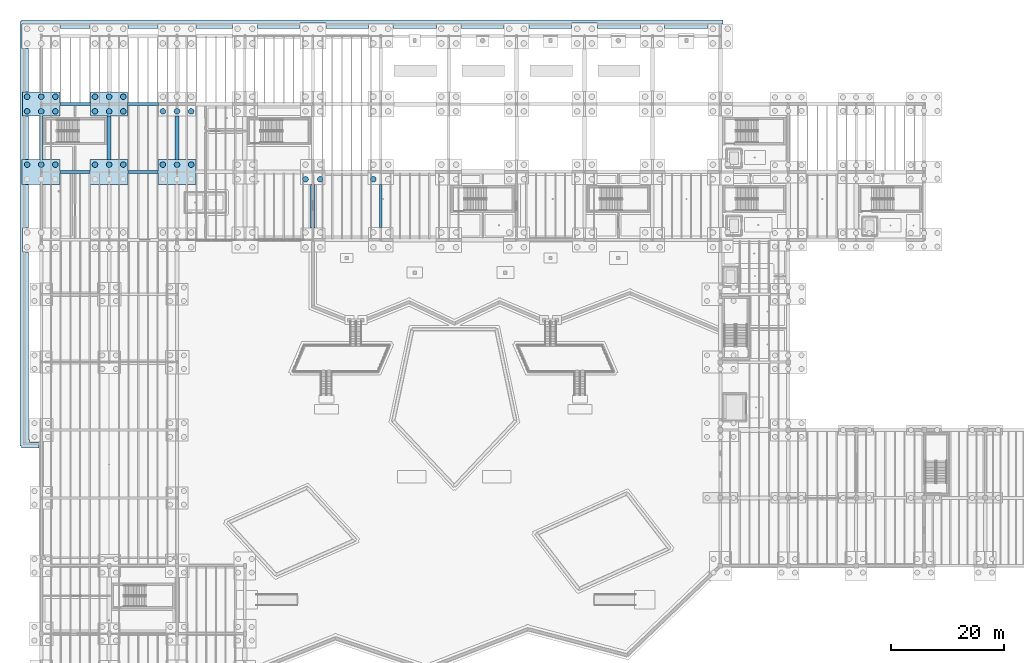
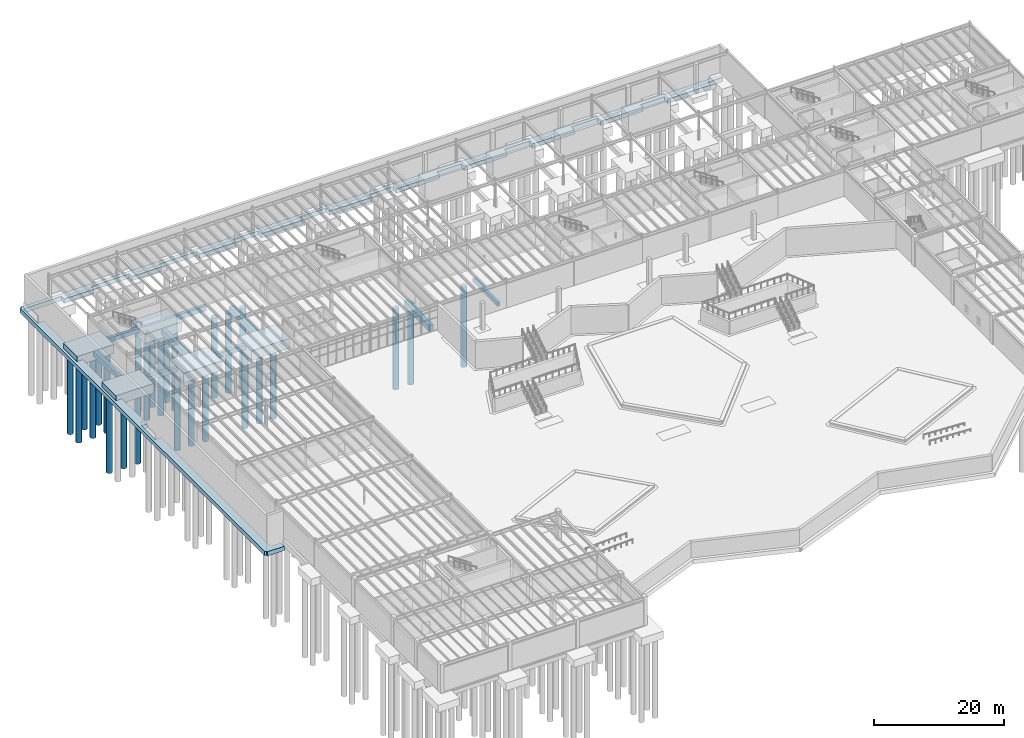
# One storey, part 4 of 67: 27 piles, 15 footings.
"""IFC4 building model written with IfcOpenShell, lengths in metres."""

from ifc_helpers import new_model, si_unit, direction, frame, origin, origin_2d, place, context, subcontext, project, spatial, polyline, rectangle, circle, outline, extrude, material, material_profile, profile_set, type_object, element, save


model = new_model("IFC4")

# Units and contexts
model_context = context("Model", 3, precision=1e-05, world=origin(), true_north=direction((0.0, 1.0)))
body_context = subcontext(model_context, "Body", "Model", "MODEL_VIEW")
ifc_project = project(units=[si_unit("LENGTHUNIT", "METRE"), si_unit("AREAUNIT", "SQUARE_METRE"), si_unit("VOLUMEUNIT", "CUBIC_METRE"), si_unit("PLANEANGLEUNIT", "RADIAN"), si_unit("MASSUNIT", "GRAM", prefix="KILO")], contexts=[model_context])

# Site, building, storey
site_placement = place(None, origin())
site = spatial("IfcSite", under=ifc_project, at=site_placement, CompositionType="ELEMENT")
building_placement = place(site_placement, origin())
building = spatial("IfcBuilding", under=site, at=building_placement, Name="Zlatogorsky Bluff Art Gallery", CompositionType="ELEMENT")
storey_placement = place(building_placement, frame((0.0, 0.0, -5.39990234375)))
storey = spatial("IfcBuildingStorey", under=building, at=storey_placement, Name="B1", CompositionType="ELEMENT", Elevation=-5.39990234375)

# Piles
ifc_material = material(Name="Concrete C35/45", Category="concrete")
ifc_material_profile = material_profile(ifc_material, circle(Radius=0.5, at=origin_2d()), Name="BORED PILE D1000")
ifc_profile_set = profile_set([ifc_material_profile], Name="Concrete C35/45")
pile_type = type_object("IfcPileType", Name="Bored Pile D1000 C35/45", PredefinedType="BORED", material=ifc_profile_set)
for number, where, z_axis, x_axis, name in (
    (1, (-2.5, 97.300048828125, -2.10009765625), (0.0, 0.0, -1.0), (1.0, 0.0, 0.0), "Bored pile PL-02 00.09.4"),
    (2, (0.0, 97.300048828125, -2.10009765625), (0.0, 0.0, -1.0), (1.0, 0.0, 0.0), "Bored pile PL-02 00.09.5"),
    (3, (2.5, 97.300048828125, -2.10009765625), (0.0, 0.0, -1.0), (1.0, 0.0, 0.0), "Bored pile PL-02 00.09.6"),
):
    element("IfcPile", number, at=place(storey_placement, frame(where, z_axis=z_axis, x_axis=x_axis)), inside=storey, type_object=pile_type, Name=name, PredefinedType="BORED", context=body_context, shape_type="SweptSolid", body=[
        extrude(circle(Radius=0.5, at=origin_2d()), origin(), (0.0, 0.0, 1.0), 14.89990234375),
    ])
for number, where, z_axis, x_axis, name in (
    (4, (-2.5, 106.699951171875, -2.050048828125), (0.0, 0.0, -1.0), (1.0, 0.0, 0.0), "Bored pile PL-02 00.10.1"),
    (5, (0.0, 106.699951171875, -2.050048828125), (0.0, 0.0, -1.0), (1.0, 0.0, 0.0), "Bored pile PL-02 00.10.2"),
    (6, (2.5, 106.699951171875, -2.050048828125), (0.0, 0.0, -1.0), (1.0, 0.0, 0.0), "Bored pile PL-02 00.10.3"),
    (7, (-2.5, 109.300048828125, -2.050048828125), (0.0, 0.0, -1.0), (1.0, 0.0, 0.0), "Bored pile PL-02 00.10.4"),
    (8, (0.0, 109.300048828125, -2.050048828125), (0.0, 0.0, -1.0), (1.0, 0.0, 0.0), "Bored pile PL-02 00.10.5"),
    (9, (2.5, 109.300048828125, -2.050048828125), (0.0, 0.0, -1.0), (1.0, 0.0, 0.0), "Bored pile PL-02 00.10.6"),
):
    element("IfcPile", number, at=place(storey_placement, frame(where, z_axis=z_axis, x_axis=x_axis)), inside=storey, type_object=pile_type, Name=name, PredefinedType="BORED", context=body_context, shape_type="SweptSolid", body=[
        extrude(circle(Radius=0.5, at=origin_2d()), origin(), (0.0, 0.0, 1.0), 14.949951171875),
    ])
for number, where, z_axis, x_axis, name in (
    (10, (9.5, 97.300048828125, -2.10009765625), (0.0, 0.0, -1.0), (1.0, 0.0, 0.0), "Bored pile PL-02 01.09.4"),
    (11, (12.0, 97.300048828125, -2.10009765625), (0.0, 0.0, -1.0), (1.0, 0.0, 0.0), "Bored pile PL-02 01.09.5"),
    (12, (14.5, 97.300048828125, -2.10009765625), (0.0, 0.0, -1.0), (1.0, 0.0, 0.0), "Bored pile PL-02 01.09.6"),
):
    element("IfcPile", number, at=place(storey_placement, frame(where, z_axis=z_axis, x_axis=x_axis)), inside=storey, type_object=pile_type, Name=name, PredefinedType="BORED", context=body_context, shape_type="SweptSolid", body=[
        extrude(circle(Radius=0.5, at=origin_2d()), origin(), (0.0, 0.0, 1.0), 14.89990234375),
    ])
for number, where, z_axis, x_axis, name in (
    (13, (9.5, 106.699951171875, -2.050048828125), (0.0, 0.0, -1.0), (1.0, 0.0, 0.0), "Bored pile PL-02 01.10.1"),
    (14, (12.0, 106.699951171875, -2.050048828125), (0.0, 0.0, -1.0), (1.0, 0.0, 0.0), "Bored pile PL-02 01.10.2"),
    (15, (14.5, 106.699951171875, -2.050048828125), (0.0, 0.0, -1.0), (1.0, 0.0, 0.0), "Bored pile PL-02 01.10.3"),
    (16, (9.5, 109.300048828125, -2.050048828125), (0.0, 0.0, -1.0), (1.0, 0.0, 0.0), "Bored pile PL-02 01.10.4"),
    (17, (12.0, 109.300048828125, -2.050048828125), (0.0, 0.0, -1.0), (1.0, 0.0, 0.0), "Bored pile PL-02 01.10.5"),
    (18, (14.5, 109.300048828125, -2.050048828125), (0.0, 0.0, -1.0), (1.0, 0.0, 0.0), "Bored pile PL-02 01.10.6"),
):
    element("IfcPile", number, at=place(storey_placement, frame(where, z_axis=z_axis, x_axis=x_axis)), inside=storey, type_object=pile_type, Name=name, PredefinedType="BORED", context=body_context, shape_type="SweptSolid", body=[
        extrude(circle(Radius=0.5, at=origin_2d()), origin(), (0.0, 0.0, 1.0), 14.949951171875),
    ])
for number, where, z_axis, x_axis, name in (
    (19, (21.5, 97.300048828125, -2.10009765625), (0.0, 0.0, -1.0), (1.0, 0.0, 0.0), "Bored pile PL-02 02.09.4"),
    (20, (24.0, 97.300048828125, -2.10009765625), (0.0, 0.0, -1.0), (1.0, 0.0, 0.0), "Bored pile PL-02 02.09.5"),
    (21, (26.5, 97.300048828125, -2.10009765625), (0.0, 0.0, -1.0), (1.0, 0.0, 0.0), "Bored pile PL-02 02.09.6"),
):
    element("IfcPile", number, at=place(storey_placement, frame(where, z_axis=z_axis, x_axis=x_axis)), inside=storey, type_object=pile_type, Name=name, PredefinedType="BORED", context=body_context, shape_type="SweptSolid", body=[
        extrude(circle(Radius=0.5, at=origin_2d()), origin(), (0.0, 0.0, 1.0), 14.89990234375),
    ])
for number, where, z_axis, x_axis, name in (
    (22, (21.5, 106.699951171875, -2.050048828125), (0.0, 0.0, -1.0), (1.0, 0.0, 0.0), "Bored pile PL-02 02.10.1"),
    (23, (24.0, 106.699951171875, -2.050048828125), (0.0, 0.0, -1.0), (1.0, 0.0, 0.0), "Bored pile PL-02 02.10.2"),
    (24, (26.5, 106.699951171875, -2.050048828125), (0.0, 0.0, -1.0), (1.0, 0.0, 0.0), "Bored pile PL-02 02.10.3"),
):
    element("IfcPile", number, at=place(storey_placement, frame(where, z_axis=z_axis, x_axis=x_axis)), inside=storey, type_object=pile_type, Name=name, PredefinedType="BORED", context=body_context, shape_type="SweptSolid", body=[
        extrude(circle(Radius=0.5, at=origin_2d()), origin(), (0.0, 0.0, 1.0), 14.949951171875),
    ])
for number, where, z_axis, x_axis, name in (
    (25, (46.699951171875, 94.699951171875, -1.900146484375), (0.0, 0.0, -1.0), (1.0, 0.0, 0.0), "Bored pile PL-02 04.09.1"),
    (26, (49.300048828125, 94.699951171875, -1.900146484375), (0.0, 0.0, -1.0), (1.0, 0.0, 0.0), "Bored pile PL-02 04.09.3"),
):
    element("IfcPile", number, at=place(storey_placement, frame(where, z_axis=z_axis, x_axis=x_axis)), inside=storey, type_object=pile_type, Name=name, PredefinedType="BORED", context=body_context, shape_type="SweptSolid", body=[
        extrude(circle(Radius=0.5, at=origin_2d()), origin(), (0.0, 0.0, 1.0), 15.10009765625),
    ])
pile_placement = place(storey_placement, frame((58.699951171875, 94.699951171875, -1.9501953125), z_axis=(0.0, 0.0, -1.0), x_axis=(1.0, 0.0, 0.0)))
element("IfcPile", 27, at=pile_placement, inside=storey, type_object=pile_type, Name="Bored pile PL-02 05.09.1", PredefinedType="BORED", context=body_context, shape_type="SweptSolid", body=[
    extrude(circle(Radius=0.5, at=origin_2d()), origin(), (0.0, 0.0, 1.0), 15.050048828125),
])

# Footings
footing_type_1 = type_object("IfcFootingType", Name="Foundation FB-01 450x750", PredefinedType="FOOTING_BEAM", material=ifc_material)
footing_1_placement = place(storey_placement, frame((0.0, 0.0, -1.150146484375)))
element("IfcFooting", 28, at=footing_1_placement, inside=storey, type_object=footing_type_1, Name="Ground tie beam FB-01 F/9-10", PredefinedType="FOOTING_BEAM", context=body_context, shape_type="SweptSolid", body=[
    extrude(outline(polyline([(59.77490234375, 86.175048828125), (60.22509765625, 86.175048828125), (60.22509765625, 93.77490234375), (59.77490234375, 93.77490234375), (59.77490234375, 86.175048828125)])), origin(), (0.0, 0.0, 1.0), 0.75),
])
footing_type_2 = type_object("IfcFootingType", Name="Foundation FB-02 500x800", PredefinedType="FOOTING_BEAM", material=ifc_material)
footing_2_placement = place(storey_placement, frame((0.0, 0.0, -1.2001953125)))
element("IfcFooting", 29, at=footing_2_placement, inside=storey, type_object=footing_type_2, Name="Ground tie beam FB-02 A-B/10", PredefinedType="FOOTING_BEAM", context=body_context, shape_type="SweptSolid", body=[
    extrude(outline(polyline([(3.35009765625, 95.75), (8.64990234375, 95.75), (8.64990234375, 96.25), (3.35009765625, 96.25), (3.35009765625, 95.75)])), origin(), (0.0, 0.0, 1.0), 0.800048828125),
])
footing_type_3 = type_object("IfcFootingType", Name="Foundation FB-03 550x850", PredefinedType="FOOTING_BEAM", material=ifc_material)
footing_3_placement = place(storey_placement, frame((0.0, 0.0, -1.25)))
element("IfcFooting", 30, at=footing_3_placement, inside=storey, type_object=footing_type_3, Name="Ground tie beam FB-03 A-B/11", PredefinedType="FOOTING_BEAM", context=body_context, shape_type="SweptSolid", body=[
    extrude(outline(polyline([(3.27490234375, 107.72509765625), (8.72509765625, 107.72509765625), (8.72509765625, 108.27490234375), (3.27490234375, 108.27490234375), (3.27490234375, 107.72509765625)])), origin(), (0.0, 0.0, 1.0), 0.849853515625),
])
footing_4_placement = place(storey_placement, frame((0.0, 0.0, -1.25)))
element("IfcFooting", 31, at=footing_4_placement, inside=storey, type_object=footing_type_3, Name="Ground tie beam FB-03 B-C/10", PredefinedType="FOOTING_BEAM", context=body_context, shape_type="SweptSolid", body=[
    extrude(outline(polyline([(15.35009765625, 95.72509765625), (20.64990234375, 95.72509765625), (20.64990234375, 96.27490234375), (15.35009765625, 96.27490234375), (15.35009765625, 95.72509765625)])), origin(), (0.0, 0.0, 1.0), 0.849853515625),
])
footing_type_4 = type_object("IfcFootingType", Name="Foundation FB-04 600x900", PredefinedType="FOOTING_BEAM", material=ifc_material)
footing_5_placement = place(storey_placement, frame((0.0, 0.0, -1.300048828125)))
element("IfcFooting", 32, at=footing_5_placement, inside=storey, type_object=footing_type_4, Name="Ground tie beam FB-04 B-C/11", PredefinedType="FOOTING_BEAM", context=body_context, shape_type="SweptSolid", body=[
    extrude(outline(polyline([(15.27490234375, 107.699951171875), (20.72509765625, 107.699951171875), (20.72509765625, 108.300048828125), (15.27490234375, 108.300048828125), (15.27490234375, 107.699951171875)])), origin(), (0.0, 0.0, 1.0), 0.89990234375),
])
footing_type_5 = type_object("IfcFootingType", Name="Foundation FB-05 650x950", PredefinedType="FOOTING_BEAM", material=ifc_material)
footing_6_placement = place(storey_placement, frame((0.0, 0.0, -1.35009765625)))
element("IfcFooting", 33, at=footing_6_placement, inside=storey, type_object=footing_type_5, Name="Ground tie beam FB-05 A/10-11", PredefinedType="FOOTING_BEAM", context=body_context, shape_type="SweptSolid", body=[
    extrude(outline(polyline([(-0.324951171875, 98.175048828125), (0.324951171875, 98.175048828125), (0.324951171875, 105.89990234375), (-0.324951171875, 105.89990234375), (-0.324951171875, 98.175048828125)])), origin(), (0.0, 0.0, 1.0), 0.949951171875),
])
footing_type_6 = type_object("IfcFootingType", Name="Foundation FB-06 700x1000", PredefinedType="FOOTING_BEAM", material=ifc_material)
footing_7_placement = place(storey_placement, frame((0.0, 0.0, -1.400146484375)))
element("IfcFooting", 34, at=footing_7_placement, inside=storey, type_object=footing_type_6, Name="Ground tie beam FB-06 B/10-11", PredefinedType="FOOTING_BEAM", context=body_context, shape_type="SweptSolid", body=[
    extrude(outline(polyline([(11.64990234375, 98.175048828125), (12.35009765625, 98.175048828125), (12.35009765625, 105.89990234375), (11.64990234375, 105.89990234375), (11.64990234375, 98.175048828125)])), origin(), (0.0, 0.0, 1.0), 1.0),
])
footing_type_7 = type_object("IfcFootingType", Name="Foundation FB-07 750x1050", PredefinedType="FOOTING_BEAM", material=ifc_material)
footing_8_placement = place(storey_placement, frame((0.0, 0.0, -1.4501953125)))
element("IfcFooting", 35, at=footing_8_placement, inside=storey, type_object=footing_type_7, Name="Ground tie beam FB-07 C/10-11", PredefinedType="FOOTING_BEAM", context=body_context, shape_type="SweptSolid", body=[
    extrude(outline(polyline([(23.625, 98.175048828125), (24.375, 98.175048828125), (24.375, 105.89990234375), (23.625, 105.89990234375), (23.625, 98.175048828125)])), origin(), (0.0, 0.0, 1.0), 1.050048828125),
])
footing_type_8 = type_object("IfcFootingType", Name="Foundation FB-08 800x1100", PredefinedType="FOOTING_BEAM", material=ifc_material)
footing_9_placement = place(storey_placement, frame((0.0, 0.0, -1.5)))
element("IfcFooting", 36, at=footing_9_placement, inside=storey, type_object=footing_type_8, Name="Ground tie beam FB-08 E/9-10", PredefinedType="FOOTING_BEAM", context=body_context, shape_type="SweptSolid", body=[
    extrude(outline(polyline([(47.60009765625, 86.125), (48.39990234375, 86.125), (48.39990234375, 93.824951171875), (47.60009765625, 93.824951171875), (47.60009765625, 86.125)])), origin(), (0.0, 0.0, 1.0), 1.099853515625),
])
footing_type_9 = type_object("IfcFootingType", Name="Foundation SF-05 1500x800", PredefinedType="STRIP_FOOTING", material=ifc_material)
footing_10_placement = place(storey_placement, frame((0.0, 0.0, -2.10009765625)))
element("IfcFooting", 37, at=footing_10_placement, inside=storey, type_object=footing_type_9, Name="Stepped bluff terrace strip footing SF-05 02", PredefinedType="STRIP_FOOTING", context=body_context, shape_type="SweptSolid", body=[
    extrude(outline(polyline([(-3.75, 47.550048828125), (-3.75, 122.550048828125), (-3.449951171875, 122.550048828125), (-3.449951171875, 122.85009765625), (120.449951171875, 122.85009765625), (120.449951171875, 122.179931640625), (117.824951171875, 122.179931640625), (117.824462890625, 122.179931640625), (117.823974609375, 122.179931640625), (117.823486328125, 122.1796875), (117.822998046875, 122.1796875), (117.82275390625, 122.179443359375), (117.822265625, 122.17919921875), (117.82177734375, 122.178955078125), (117.821533203125, 122.178466796875), (117.821044921875, 122.17822265625), (117.82080078125, 122.177734375), (117.820556640625, 122.17724609375), (117.8203125, 122.177001953125), (117.8203125, 122.176513671875), (117.820068359375, 122.176025390625), (117.820068359375, 122.175537109375), (117.820068359375, 122.175048828125), (117.820068359375, 121.35009765625), (110.1298828125, 121.35009765625), (110.1298828125, 122.125), (110.1298828125, 122.12548828125), (110.1298828125, 122.1259765625), (110.1298828125, 122.12646484375), (110.129638671875, 122.126953125), (110.12939453125, 122.12744140625), (110.129150390625, 122.127685546875), (110.12890625, 122.128173828125), (110.12841796875, 122.12841796875), (110.128173828125, 122.12890625), (110.127685546875, 122.129150390625), (110.12744140625, 122.12939453125), (110.126953125, 122.129638671875), (110.12646484375, 122.1298828125), (110.1259765625, 122.1298828125), (110.12548828125, 122.1298828125), (110.125, 122.1298828125), (105.875, 122.1298828125), (105.87451171875, 122.1298828125), (105.8740234375, 122.1298828125), (105.87353515625, 122.1298828125), (105.873046875, 122.129638671875), (105.87255859375, 122.12939453125), (105.872314453125, 122.129150390625), (105.871826171875, 122.12890625), (105.87158203125, 122.12841796875), (105.87109375, 122.128173828125), (105.870849609375, 122.127685546875), (105.87060546875, 122.12744140625), (105.870361328125, 122.126953125), (105.8701171875, 122.12646484375), (105.8701171875, 122.1259765625), (105.8701171875, 122.12548828125), (105.8701171875, 122.125), (105.8701171875, 121.35009765625), (98.304931640625, 121.35009765625), (98.304931640625, 122.300048828125), (98.304931640625, 122.300537109375), (98.304931640625, 122.301025390625), (98.3046875, 122.301513671875), (98.3046875, 122.302001953125), (98.304443359375, 122.30224609375), (98.30419921875, 122.302734375), (98.303955078125, 122.30322265625), (98.303466796875, 122.303466796875), (98.30322265625, 122.303955078125), (98.302734375, 122.30419921875), (98.30224609375, 122.304443359375), (98.302001953125, 122.3046875), (98.301513671875, 122.3046875), (98.301025390625, 122.304931640625), (98.300537109375, 122.304931640625), (98.300048828125, 122.304931640625), (93.699951171875, 122.304931640625), (93.699462890625, 122.304931640625), (93.698974609375, 122.304931640625), (93.698486328125, 122.3046875), (93.697998046875, 122.3046875), (93.69775390625, 122.304443359375), (93.697265625, 122.30419921875), (93.69677734375, 122.303955078125), (93.696533203125, 122.303466796875), (93.696044921875, 122.30322265625), (93.69580078125, 122.302734375), (93.695556640625, 122.30224609375), (93.6953125, 122.302001953125), (93.6953125, 122.301513671875), (93.695068359375, 122.301025390625), (93.695068359375, 122.300537109375), (93.695068359375, 122.300048828125), (93.695068359375, 121.35009765625), (86.22998046875, 121.35009765625), (86.22998046875, 122.22509765625), (86.22998046875, 122.2255859375), (86.22998046875, 122.22607421875), (86.229736328125, 122.2265625), (86.229736328125, 122.226806640625), (86.2294921875, 122.227294921875), (86.229248046875, 122.227783203125), (86.228759765625, 122.228271484375), (86.228515625, 122.228515625), (86.228271484375, 122.228759765625), (86.227783203125, 122.229248046875), (86.227294921875, 122.2294921875), (86.226806640625, 122.229736328125), (86.2265625, 122.229736328125), (86.22607421875, 122.22998046875), (86.2255859375, 122.22998046875), (86.22509765625, 122.22998046875), (81.77490234375, 122.22998046875), (81.7744140625, 122.22998046875), (81.77392578125, 122.22998046875), (81.7734375, 122.229736328125), (81.773193359375, 122.229736328125), (81.772705078125, 122.2294921875), (81.772216796875, 122.229248046875), (81.771728515625, 122.228759765625), (81.771484375, 122.228515625), (81.771240234375, 122.228271484375), (81.770751953125, 122.227783203125), (81.7705078125, 122.227294921875), (81.770263671875, 122.226806640625), (81.770263671875, 122.2265625), (81.77001953125, 122.22607421875), (81.77001953125, 122.2255859375), (81.77001953125, 122.22509765625), (81.77001953125, 121.35009765625), (74.179931640625, 121.35009765625), (74.179931640625, 122.175048828125), (74.179931640625, 122.175537109375), (74.179931640625, 122.176025390625), (74.1796875, 122.176513671875), (74.1796875, 122.177001953125), (74.179443359375, 122.17724609375), (74.17919921875, 122.177734375), (74.178955078125, 122.17822265625), (74.178466796875, 122.178466796875), (74.17822265625, 122.178955078125), (74.177734375, 122.17919921875), (74.17724609375, 122.179443359375), (74.177001953125, 122.1796875), (74.176513671875, 122.1796875), (74.176025390625, 122.179931640625), (74.175537109375, 122.179931640625), (74.175048828125, 122.179931640625), (69.824951171875, 122.179931640625), (69.824462890625, 122.179931640625), (69.823974609375, 122.179931640625), (69.823486328125, 122.1796875), (69.822998046875, 122.1796875), (69.82275390625, 122.179443359375), (69.822265625, 122.17919921875), (69.82177734375, 122.178955078125), (69.821533203125, 122.178466796875), (69.821044921875, 122.17822265625), (69.82080078125, 122.177734375), (69.820556640625, 122.17724609375), (69.8203125, 122.177001953125), (69.8203125, 122.176513671875), (69.820068359375, 122.176025390625), (69.820068359375, 122.175537109375), (69.820068359375, 122.175048828125), (69.820068359375, 121.35009765625), (62.1298828125, 121.35009765625), (62.1298828125, 122.125), (62.1298828125, 122.12548828125), (62.1298828125, 122.1259765625), (62.1298828125, 122.12646484375), (62.129638671875, 122.126953125), (62.12939453125, 122.12744140625), (62.129150390625, 122.127685546875), (62.12890625, 122.128173828125), (62.12841796875, 122.12841796875), (62.128173828125, 122.12890625), (62.127685546875, 122.129150390625), (62.12744140625, 122.12939453125), (62.126953125, 122.129638671875), (62.12646484375, 122.1298828125), (62.1259765625, 122.1298828125), (62.12548828125, 122.1298828125), (62.125, 122.1298828125), (57.875, 122.1298828125), (57.87451171875, 122.1298828125), (57.8740234375, 122.1298828125), (57.87353515625, 122.1298828125), (57.873046875, 122.129638671875), (57.87255859375, 122.12939453125), (57.872314453125, 122.129150390625), (57.871826171875, 122.12890625), (57.87158203125, 122.12841796875), (57.87109375, 122.128173828125), (57.870849609375, 122.127685546875), (57.87060546875, 122.12744140625), (57.870361328125, 122.126953125), (57.8701171875, 122.12646484375), (57.8701171875, 122.1259765625), (57.8701171875, 122.12548828125), (57.8701171875, 122.125), (57.8701171875, 121.35009765625), (50.304931640625, 121.35009765625), (50.304931640625, 122.300048828125), (50.304931640625, 122.300537109375), (50.304931640625, 122.301025390625), (50.3046875, 122.301513671875), (50.3046875, 122.302001953125), (50.304443359375, 122.30224609375), (50.30419921875, 122.302734375), (50.303955078125, 122.30322265625), (50.303466796875, 122.303466796875), (50.30322265625, 122.303955078125), (50.302734375, 122.30419921875), (50.30224609375, 122.304443359375), (50.302001953125, 122.3046875), (50.301513671875, 122.3046875), (50.301025390625, 122.304931640625), (50.300537109375, 122.304931640625), (50.300048828125, 122.304931640625), (45.699951171875, 122.304931640625), (45.699462890625, 122.304931640625), (45.698974609375, 122.304931640625), (45.698486328125, 122.3046875), (45.697998046875, 122.3046875), (45.69775390625, 122.304443359375), (45.697265625, 122.30419921875), (45.69677734375, 122.303955078125), (45.696533203125, 122.303466796875), (45.696044921875, 122.30322265625), (45.69580078125, 122.302734375), (45.695556640625, 122.30224609375), (45.6953125, 122.302001953125), (45.6953125, 122.301513671875), (45.695068359375, 122.301025390625), (45.695068359375, 122.300537109375), (45.695068359375, 122.300048828125), (45.695068359375, 121.35009765625), (38.22998046875, 121.35009765625), (38.22998046875, 122.22509765625), (38.22998046875, 122.2255859375), (38.22998046875, 122.22607421875), (38.229736328125, 122.2265625), (38.229736328125, 122.226806640625), (38.2294921875, 122.227294921875), (38.229248046875, 122.227783203125), (38.228759765625, 122.228271484375), (38.228515625, 122.228515625), (38.228271484375, 122.228759765625), (38.227783203125, 122.229248046875), (38.227294921875, 122.2294921875), (38.226806640625, 122.229736328125), (38.2265625, 122.229736328125), (38.22607421875, 122.22998046875), (38.2255859375, 122.22998046875), (38.22509765625, 122.22998046875), (33.77490234375, 122.22998046875), (33.7744140625, 122.22998046875), (33.77392578125, 122.22998046875), (33.7734375, 122.229736328125), (33.773193359375, 122.229736328125), (33.772705078125, 122.2294921875), (33.772216796875, 122.229248046875), (33.771728515625, 122.228759765625), (33.771484375, 122.228515625), (33.771240234375, 122.228271484375), (33.770751953125, 122.227783203125), (33.7705078125, 122.227294921875), (33.770263671875, 122.226806640625), (33.770263671875, 122.2265625), (33.77001953125, 122.22607421875), (33.77001953125, 122.2255859375), (33.77001953125, 122.22509765625), (33.77001953125, 121.35009765625), (27.35498046875, 121.35009765625), (27.35498046875, 122.175048828125), (27.35498046875, 122.175537109375), (27.35498046875, 122.176025390625), (27.354736328125, 122.176513671875), (27.354736328125, 122.177001953125), (27.3544921875, 122.17724609375), (27.354248046875, 122.177734375), (27.353759765625, 122.17822265625), (27.353515625, 122.178466796875), (27.353271484375, 122.178955078125), (27.352783203125, 122.17919921875), (27.352294921875, 122.179443359375), (27.351806640625, 122.1796875), (27.3515625, 122.1796875), (27.35107421875, 122.179931640625), (27.3505859375, 122.179931640625), (27.35009765625, 122.179931640625), (20.64990234375, 122.179931640625), (20.6494140625, 122.179931640625), (20.64892578125, 122.179931640625), (20.6484375, 122.1796875), (20.648193359375, 122.1796875), (20.647705078125, 122.179443359375), (20.647216796875, 122.17919921875), (20.646728515625, 122.178955078125), (20.646484375, 122.178466796875), (20.646240234375, 122.17822265625), (20.645751953125, 122.177734375), (20.6455078125, 122.17724609375), (20.645263671875, 122.177001953125), (20.645263671875, 122.176513671875), (20.64501953125, 122.176025390625), (20.64501953125, 122.175537109375), (20.64501953125, 122.175048828125), (20.64501953125, 121.35009765625), (15.35498046875, 121.35009765625), (15.35498046875, 122.175048828125), (15.35498046875, 122.175537109375), (15.35498046875, 122.176025390625), (15.354736328125, 122.176513671875), (15.354736328125, 122.177001953125), (15.3544921875, 122.17724609375), (15.354248046875, 122.177734375), (15.353759765625, 122.17822265625), (15.353515625, 122.178466796875), (15.353271484375, 122.178955078125), (15.352783203125, 122.17919921875), (15.352294921875, 122.179443359375), (15.351806640625, 122.1796875), (15.3515625, 122.1796875), (15.35107421875, 122.179931640625), (15.3505859375, 122.179931640625), (15.35009765625, 122.179931640625), (8.64990234375, 122.179931640625), (8.6494140625, 122.179931640625), (8.64892578125, 122.179931640625), (8.6484375, 122.1796875), (8.648193359375, 122.1796875), (8.647705078125, 122.179443359375), (8.647216796875, 122.17919921875), (8.646728515625, 122.178955078125), (8.646484375, 122.178466796875), (8.646240234375, 122.17822265625), (8.645751953125, 122.177734375), (8.6455078125, 122.17724609375), (8.645263671875, 122.177001953125), (8.645263671875, 122.176513671875), (8.64501953125, 122.176025390625), (8.64501953125, 122.175537109375), (8.64501953125, 122.175048828125), (8.64501953125, 121.35009765625), (3.35498046875, 121.35009765625), (3.35498046875, 122.175048828125), (3.35498046875, 122.175537109375), (3.35498046875, 122.176025390625), (3.354736328125, 122.176513671875), (3.354736328125, 122.177001953125), (3.3544921875, 122.17724609375), (3.354248046875, 122.177734375), (3.353759765625, 122.17822265625), (3.353515625, 122.178466796875), (3.353271484375, 122.178955078125), (3.352783203125, 122.17919921875), (3.352294921875, 122.179443359375), (3.351806640625, 122.1796875), (3.3515625, 122.1796875), (3.35107421875, 122.179931640625), (3.3505859375, 122.179931640625), (3.35009765625, 122.179931640625), (-3.35009765625, 122.179931640625), (-3.3505859375, 122.179931640625), (-3.35107421875, 122.179931640625), (-3.3515625, 122.1796875), (-3.351806640625, 122.1796875), (-3.352294921875, 122.179443359375), (-3.352783203125, 122.17919921875), (-3.353271484375, 122.178955078125), (-3.353515625, 122.178466796875), (-3.353759765625, 122.17822265625), (-3.354248046875, 122.177734375), (-3.3544921875, 122.17724609375), (-3.354736328125, 122.177001953125), (-3.354736328125, 122.176513671875), (-3.35498046875, 122.176025390625), (-3.35498046875, 122.175537109375), (-3.35498046875, 122.175048828125), (-3.35498046875, 117.824951171875), (-3.35498046875, 117.824462890625), (-3.35498046875, 117.823974609375), (-3.354736328125, 117.823486328125), (-3.354736328125, 117.822998046875), (-3.3544921875, 117.82275390625), (-3.354248046875, 117.822265625), (-3.353759765625, 117.82177734375), (-3.353515625, 117.821533203125), (-3.353271484375, 117.821044921875), (-3.352783203125, 117.82080078125), (-3.352294921875, 117.820556640625), (-3.351806640625, 117.8203125), (-3.3515625, 117.8203125), (-3.35107421875, 117.820068359375), (-3.3505859375, 117.820068359375), (-3.35009765625, 117.820068359375), (-2.25, 117.820068359375), (-2.25, 110.10498046875), (-3.27490234375, 110.10498046875), (-3.275390625, 110.10498046875), (-3.27587890625, 110.10498046875), (-3.2763671875, 110.104736328125), (-3.27685546875, 110.104736328125), (-3.27734375, 110.1044921875), (-3.27783203125, 110.104248046875), (-3.278076171875, 110.103759765625), (-3.278564453125, 110.103515625), (-3.27880859375, 110.103271484375), (-3.279052734375, 110.102783203125), (-3.279296875, 110.102294921875), (-3.279541015625, 110.101806640625), (-3.27978515625, 110.1015625), (-3.27978515625, 110.10107421875), (-3.280029296875, 110.1005859375), (-3.280029296875, 110.10009765625), (-3.280029296875, 105.89990234375), (-3.280029296875, 105.8994140625), (-3.27978515625, 105.89892578125), (-3.27978515625, 105.8984375), (-3.279541015625, 105.898193359375), (-3.279296875, 105.897705078125), (-3.279052734375, 105.897216796875), (-3.27880859375, 105.896728515625), (-3.278564453125, 105.896484375), (-3.278076171875, 105.896240234375), (-3.27783203125, 105.895751953125), (-3.27734375, 105.8955078125), (-3.27685546875, 105.895263671875), (-3.2763671875, 105.895263671875), (-3.27587890625, 105.89501953125), (-3.275390625, 105.89501953125), (-3.27490234375, 105.89501953125), (-2.25, 105.89501953125), (-2.25, 98.179931640625), (-3.35009765625, 98.179931640625), (-3.3505859375, 98.179931640625), (-3.35107421875, 98.179931640625), (-3.3515625, 98.1796875), (-3.351806640625, 98.1796875), (-3.352294921875, 98.179443359375), (-3.352783203125, 98.17919921875), (-3.353271484375, 98.178955078125), (-3.353515625, 98.178466796875), (-3.353759765625, 98.17822265625), (-3.354248046875, 98.177734375), (-3.3544921875, 98.17724609375), (-3.354736328125, 98.177001953125), (-3.354736328125, 98.176513671875), (-3.35498046875, 98.176025390625), (-3.35498046875, 98.175537109375), (-3.35498046875, 98.175048828125), (-3.35498046875, 93.824951171875), (-3.35498046875, 93.824462890625), (-3.35498046875, 93.823974609375), (-3.354736328125, 93.823486328125), (-3.354736328125, 93.822998046875), (-3.3544921875, 93.82275390625), (-3.354248046875, 93.822265625), (-3.353759765625, 93.82177734375), (-3.353515625, 93.821533203125), (-3.353271484375, 93.821044921875), (-3.352783203125, 93.82080078125), (-3.352294921875, 93.820556640625), (-3.351806640625, 93.8203125), (-3.3515625, 93.8203125), (-3.35107421875, 93.820068359375), (-3.3505859375, 93.820068359375), (-3.35009765625, 93.820068359375), (-2.25, 93.820068359375), (-2.25, 86.10498046875), (-3.27490234375, 86.10498046875), (-3.275390625, 86.10498046875), (-3.27587890625, 86.10498046875), (-3.2763671875, 86.104736328125), (-3.27685546875, 86.104736328125), (-3.27734375, 86.1044921875), (-3.27783203125, 86.104248046875), (-3.278076171875, 86.103759765625), (-3.278564453125, 86.103515625), (-3.27880859375, 86.103271484375), (-3.279052734375, 86.102783203125), (-3.279296875, 86.102294921875), (-3.279541015625, 86.101806640625), (-3.27978515625, 86.1015625), (-3.27978515625, 86.10107421875), (-3.280029296875, 86.1005859375), (-3.280029296875, 86.10009765625), (-3.280029296875, 81.89990234375), (-3.280029296875, 81.8994140625), (-3.27978515625, 81.89892578125), (-3.27978515625, 81.8984375), (-3.279541015625, 81.898193359375), (-3.279296875, 81.897705078125), (-3.279052734375, 81.897216796875), (-3.27880859375, 81.896728515625), (-3.278564453125, 81.896484375), (-3.278076171875, 81.896240234375), (-3.27783203125, 81.895751953125), (-3.27734375, 81.8955078125), (-3.27685546875, 81.895263671875), (-3.2763671875, 81.895263671875), (-3.27587890625, 81.89501953125), (-3.275390625, 81.89501953125), (-3.27490234375, 81.89501953125), (-2.25, 81.89501953125), (-2.25, 48.75), (-2.080078125, 48.75), (-2.080078125, 48.324951171875), (-2.080078125, 48.324462890625), (-2.079833984375, 48.323974609375), (-2.079833984375, 48.323486328125), (-2.07958984375, 48.322998046875), (-2.079345703125, 48.32275390625), (-2.0791015625, 48.322265625), (-2.078857421875, 48.32177734375), (-2.07861328125, 48.321533203125), (-2.078125, 48.321044921875), (-2.077880859375, 48.32080078125), (-2.077392578125, 48.320556640625), (-2.076904296875, 48.3203125), (-2.076416015625, 48.3203125), (-2.075927734375, 48.320068359375), (-2.075439453125, 48.320068359375), (-2.074951171875, 48.320068359375), (-0.405029296875, 48.320068359375), (-0.405029296875, 47.25), (-3.449951171875, 47.25), (-3.449951171875, 47.550048828125), (-3.75, 47.550048828125)])), origin(), (0.0, 0.0, 1.0), 0.800048828125),
])
footing_type_10 = type_object("IfcFootingType", Name="Pile Cap PC-16 6550x4200x1750", PredefinedType="PILE_CAP", material=ifc_material)
for number, where, z_axis, x_axis, name in (
    (38, (0.0, 108.0, -2.150146484375), (0.0, 0.0, 1.0), (1.0, 0.0, 0.0), "Pile cap PC-16 at A11"),
    (39, (12.0, 108.0, -2.150146484375), (0.0, 0.0, 1.0), (1.0, 0.0, 0.0), "Pile cap PC-16 at B11"),
):
    element("IfcFooting", number, at=place(storey_placement, frame(where, z_axis=z_axis, x_axis=x_axis)), inside=storey, type_object=footing_type_10, Name=name, PredefinedType="PILE_CAP", context=body_context, shape_type="SweptSolid", body=[
        extrude(rectangle(XDim=6.550048828125, YDim=4.199951171875, at=origin_2d()), origin(), (0.0, 0.0, 1.0), 1.75),
    ])
footing_type_11 = type_object("IfcFootingType", Name="Pile Cap PC-17 6700x4350x1800", PredefinedType="PILE_CAP", material=ifc_material)
for number, where, z_axis, x_axis, name in (
    (40, (0.0, 96.0, -2.2001953125), (0.0, 0.0, 1.0), (1.0, 0.0, 0.0), "Pile cap PC-17 at A10"),
    (41, (12.0, 96.0, -2.2001953125), (0.0, 0.0, 1.0), (1.0, 0.0, 0.0), "Pile cap PC-17 at B10"),
    (42, (24.0, 96.0, -2.2001953125), (0.0, 0.0, 1.0), (1.0, 0.0, 0.0), "Pile cap PC-17 at C10"),
):
    element("IfcFooting", number, at=place(storey_placement, frame(where, z_axis=z_axis, x_axis=x_axis)), inside=storey, type_object=footing_type_11, Name=name, PredefinedType="PILE_CAP", context=body_context, shape_type="SweptSolid", body=[
        extrude(rectangle(XDim=6.699951171875, YDim=4.35009765625, at=origin_2d()), origin(), (0.0, 0.0, 1.0), 1.800048828125),
    ])

save(model, "model.ifc")
